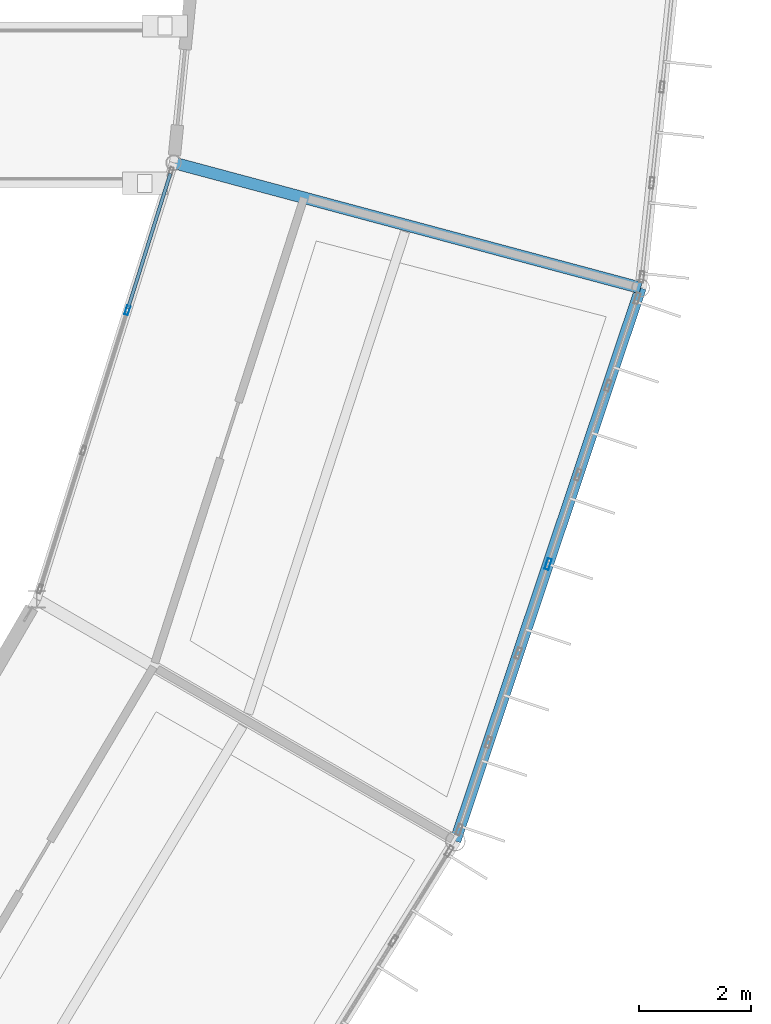
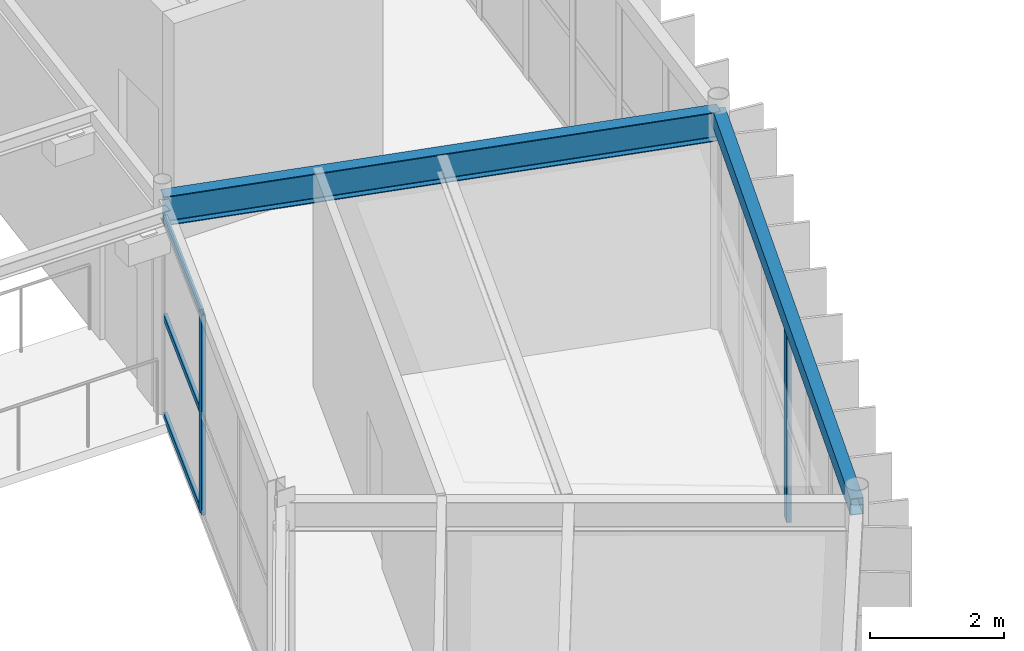
# One storey, part 62 of 148: 5 members, 2 beams, 2 elements without a shape of their own.
"""IFC4 building model written with IfcOpenShell, lengths in metres."""

import ifcopenshell
import ifcopenshell.guid

model = None  # the IFC model being written
_history = None  # IfcOwnerHistory: only IFC2X3 demands one
_inside = {}  # id of a spatial element -> (the spatial element, [elements in it])
_under = {}  # id of a project, library or spatial element -> (it, [spatial elements below it])
_declared = {}  # id of a project -> (the project, [libraries it declares])
_typed = {}  # id of a type object -> (the type object, [elements of that type])
_made_of = {}  # id of a material, layer set ... -> (it, [elements and type objects made of it])


def new_model(schema):
    """Start an empty IFC model of exactly this schema.

    Asked for "IFC4X3", IfcOpenShell would pick the latest addendum, in which some entities
    have other attributes; the version numbers below select the first issue.
    IFC2X3 requires an IfcOwnerHistory on every rooted entity: one is made here for all.
    """
    global model, _history
    if schema == "IFC4X3":
        model = ifcopenshell.file(schema_version=(4, 3, 0, 0))
    else:
        model = ifcopenshell.file(schema=schema)
    _inside.clear()
    _under.clear()
    _declared.clear()
    _typed.clear()
    _made_of.clear()
    _history = None
    if model.schema == "IFC2X3":
        org = make("IfcOrganization", Name="unknown")
        user = make(
            "IfcPersonAndOrganization",
            ThePerson=make("IfcPerson", FamilyName="unknown"),
            TheOrganization=org,
        )
        app = make(
            "IfcApplication",
            ApplicationDeveloper=org,
            Version="unknown",
            ApplicationFullName="unknown",
            ApplicationIdentifier="unknown",
        )
        _history = make(
            "IfcOwnerHistory",
            OwningUser=user,
            OwningApplication=app,
            ChangeAction="ADDED",
            CreationDate=0,
        )
    return model


def make(cls, **values):
    """One entity of the class cls with the attributes given. An attribute that is None is left unset."""
    return model.create_entity(
        cls, **{name: value for name, value in values.items() if value is not None}
    )


def rooted(cls, **values):
    """An entity with a GlobalId (a new one), such as an element, a storey or a relation."""
    return make(cls, GlobalId=ifcopenshell.guid.new(), OwnerHistory=_history, **values)


def si_unit(unit_type, name, prefix=None):
    """IfcSIUnit, for example si_unit("LENGTHUNIT", "METRE", prefix="MILLI")."""
    return make("IfcSIUnit", UnitType=unit_type, Prefix=prefix, Name=name)


def assignment(units):
    """IfcUnitAssignment: the units of a project."""
    return None if units is None else make("IfcUnitAssignment", Units=units)


def point(xyz):
    """IfcCartesianPoint."""
    return None if xyz is None else make("IfcCartesianPoint", Coordinates=xyz)


def direction(xyz):
    """IfcDirection."""
    return None if xyz is None else make("IfcDirection", DirectionRatios=xyz)


def frame(location, z_axis=None, x_axis=None):
    """IfcAxis2Placement3D, a coordinate frame: its origin and axes. An axis left out is left unset."""
    return make(
        "IfcAxis2Placement3D",
        Location=point(location),
        Axis=direction(z_axis),
        RefDirection=direction(x_axis),
    )


def frame_2d(location, x_axis=None):
    """IfcAxis2Placement2D, a coordinate frame in the plane: its origin and x axis."""
    return make(
        "IfcAxis2Placement2D", Location=point(location), RefDirection=direction(x_axis)
    )


def origin():
    """The frame at (0, 0, 0) with its axes left unset."""
    return frame((0.0, 0.0, 0.0))


def origin_2d():
    """The frame at (0, 0) in the plane with its x axis left unset."""
    return frame_2d((0.0, 0.0))


def place(relative_to, where):
    """IfcLocalPlacement: puts the frame where relative to a parent placement (None: the world)."""
    return make(
        "IfcLocalPlacement", PlacementRelTo=relative_to, RelativePlacement=where
    )


def context(
    kind, dimensions, precision=None, world=None, true_north=None, identifier=None
):
    """IfcGeometricRepresentationContext, for example the 3D "Model" context."""
    return make(
        "IfcGeometricRepresentationContext",
        ContextIdentifier=identifier,
        ContextType=kind,
        CoordinateSpaceDimension=dimensions,
        Precision=precision,
        WorldCoordinateSystem=world,
        TrueNorth=true_north,
    )


def subcontext(parent, identifier, kind, view, scale=None):
    """IfcGeometricRepresentationSubContext, for example "Body" below "Model"."""
    return make(
        "IfcGeometricRepresentationSubContext",
        ContextIdentifier=identifier,
        ContextType=kind,
        ParentContext=parent,
        TargetScale=scale,
        TargetView=view,
    )


def project(units=None, contexts=None):
    """IfcProject with its units and contexts."""
    return rooted(
        "IfcProject",
        Name="project",
        RepresentationContexts=contexts,
        UnitsInContext=assignment(units),
    )


def spatial(cls, under=None, at=None, **own):
    """A site, building, storey or space (cls), placed at a placement, below another one or the project."""
    s = rooted(cls, ObjectPlacement=at, **own)
    if under is not None:
        _under.setdefault(under.id(), (under, []))[1].append(s)
    return s


def profile(cls, at=None, kind="AREA", **sizes):
    """A parametric profile (cls). Its sizes go by their IFC names, for example OverallWidth=200.0."""
    return make(cls, ProfileType=kind, Position=at, **sizes)


def hollow_rectangle(**sizes):
    """IfcRectangleHollowProfileDef."""
    return profile("IfcRectangleHollowProfileDef", **sizes)


def i_section(**sizes):
    """IfcIShapeProfileDef."""
    return profile("IfcIShapeProfileDef", **sizes)


def extrude(swept, where, along, depth):
    """IfcExtrudedAreaSolid: the profile swept, set in the frame where, extruded along a direction by depth."""
    return make(
        "IfcExtrudedAreaSolid",
        SweptArea=swept,
        Position=where,
        ExtrudedDirection=direction(along),
        Depth=depth,
    )


def shape(context_of_items, identifier, shape_type, items):
    """IfcShapeRepresentation: the items that make up one representation, for example the "Body"."""
    return make(
        "IfcShapeRepresentation",
        ContextOfItems=context_of_items,
        RepresentationIdentifier=identifier,
        RepresentationType=shape_type,
        Items=items,
    )


def material(Name=None, Category=None):
    """IfcMaterial."""
    return make("IfcMaterial", Name=Name, Category=Category)


def material_profile(
    of_material, cross_section, Name=None, Category=None, Priority=None
):
    """IfcMaterialProfile: a cross section and its material."""
    return make(
        "IfcMaterialProfile",
        Name=Name,
        Material=of_material,
        Profile=cross_section,
        Priority=Priority,
        Category=Category,
    )


def profile_set(profiles, Name=None, composite=None):
    """IfcMaterialProfileSet."""
    return make(
        "IfcMaterialProfileSet",
        Name=Name,
        MaterialProfiles=profiles,
        CompositeProfile=composite,
    )


def made_of(thing, what):
    """Note that an element or type object is made of a material, layer set ...; save() writes the relation."""
    if what is not None:
        _made_of.setdefault(what.id(), (what, []))[1].append(thing)
    return thing


def type_object(cls, material=None, **own):
    """A type object (cls), such as IfcWallType, which elements share."""
    return made_of(rooted(cls, **own), material)


def element(
    cls,
    number,
    at=None,
    inside=None,
    cuts=None,
    type_object=None,
    material=None,
    context=None,
    identifier="Body",
    shape_type=None,
    held_by="IfcProductDefinitionShape",
    body=None,
    shapes=None,
    **own,
):
    """One element of the class cls, such as IfcWall. Its Tag is "e" and its number.

    at: its placement. inside: the storey or other place that contains it. cuts: it is an
    opening in that element (IfcRelVoidsElement). A single representation is given by context,
    identifier, shape_type and body (its items); several are given by shapes. held_by: the class
    of the entity that holds the representations. save() writes the other relations.
    """
    e = rooted(cls, Tag="e%d" % number, ObjectPlacement=at, **own)
    if body is not None:
        shapes = [shape(context, identifier, shape_type, body)]
    if shapes is not None:
        e.Representation = make(held_by, Representations=shapes)
    if inside is not None:
        _inside.setdefault(inside.id(), (inside, []))[1].append(e)
    if cuts is not None:
        rooted(
            "IfcRelVoidsElement", RelatingBuildingElement=cuts, RelatedOpeningElement=e
        )
    if type_object is not None:
        _typed.setdefault(type_object.id(), (type_object, []))[1].append(e)
    return made_of(e, material)


def aggregate(whole, parts):
    """IfcRelAggregates: a whole, such as a stair, and the parts it consists of."""
    return rooted("IfcRelAggregates", RelatingObject=whole, RelatedObjects=parts)


def save(model, path):
    """Write the relations noted so far, then the file.

    IfcRelAggregates (storeys below a building ...), IfcRelContainedInSpatialStructure (elements
    in a storey), IfcRelDefinesByType, IfcRelAssociatesMaterial and IfcRelDeclares: one each for
    every whole, place, type object, material and project.
    """
    for whole, parts in _under.values():
        aggregate(whole, parts)
    for where, things in _inside.values():
        rooted(
            "IfcRelContainedInSpatialStructure",
            RelatedElements=things,
            RelatingStructure=where,
        )
    for kind, things in _typed.values():
        rooted("IfcRelDefinesByType", RelatedObjects=things, RelatingType=kind)
    for what, things in _made_of.values():
        rooted("IfcRelAssociatesMaterial", RelatedObjects=things, RelatingMaterial=what)
    for by, libraries in _declared.values():
        rooted("IfcRelDeclares", RelatingContext=by, RelatedDefinitions=libraries)
    model.write(path)


model = new_model("IFC4")

# Units and contexts
model_context = context("Model", 3, precision=1e-05, world=origin(), true_north=direction((0.0, 1.0)))
body_context = subcontext(model_context, "Body", "Model", "MODEL_VIEW")
ifc_project = project(units=[si_unit("LENGTHUNIT", "METRE"), si_unit("AREAUNIT", "SQUARE_METRE"), si_unit("VOLUMEUNIT", "CUBIC_METRE"), si_unit("PLANEANGLEUNIT", "RADIAN"), si_unit("MASSUNIT", "GRAM", prefix="KILO")], contexts=[model_context])

# Site, building, storey
site_placement = place(None, origin())
site = spatial("IfcSite", under=ifc_project, at=site_placement, CompositionType="ELEMENT")
building_placement = place(site_placement, origin())
building = spatial("IfcBuilding", under=site, at=building_placement, Name="Karori Crest Natural Sciences Institute", CompositionType="ELEMENT")
storey_placement = place(building_placement, frame((0.0, 0.0, 4.89990234375)))
storey = spatial("IfcBuildingStorey", under=building, at=storey_placement, Name="L01", CompositionType="ELEMENT", Elevation=4.89990234375)

# Beams
ifc_material_1 = material(Name="Structural steel AS/NZS 3679.1 Grade 350", Category="steel")
ifc_material_profile_1 = material_profile(ifc_material_1, i_section(OverallWidth=0.208984375, OverallDepth=0.532958984375, WebThickness=0.01025390625, FlangeThickness=0.015625, FilletRadius=0.013916015625, at=origin_2d()), Name="530UB92.4")
ifc_profile_set_1 = profile_set([ifc_material_profile_1], Name="Structural steel AS/NZS 3679.1 Grade 350")
beam_type_1 = type_object("IfcBeamType", Name="BT-05", PredefinedType="BEAM", material=ifc_profile_set_1)
beam_1_placement = place(storey_placement, frame((89.968505859375, 41.56591796875, 3.673583984375), z_axis=(0.96592752402, -0.258812709002, 0.0), x_axis=(0.258812709002, 0.96592752402, 0.0)))
element("IfcBeam", 1, at=beam_1_placement, inside=storey, type_object=beam_type_1, Name="Beam B-0270", PredefinedType="BEAM", context=body_context, shape_type="SweptSolid", body=[
    extrude(i_section(OverallWidth=0.208984375, OverallDepth=0.532958984375, WebThickness=0.01025390625, FlangeThickness=0.015625, FilletRadius=0.013916015625, at=origin_2d()), origin(), (0.0, 0.0, 1.0), 8.60009765625),
])
ifc_material_2 = material(Name="Hollow structural steel AS/NZS 1163 Grade C350", Category="steel")
ifc_material_profile_2 = material_profile(ifc_material_2, hollow_rectangle(XDim=0.199951171875, YDim=0.300048828125, WallThickness=0.010009765625, at=origin_2d()), Name="RHS300x200x10")
ifc_profile_set_2 = profile_set([ifc_material_profile_2], Name="Hollow structural steel AS/NZS 1163 Grade C350")
beam_type_2 = type_object("IfcBeamType", Name="BT-15", PredefinedType="SPANDREL", material=ifc_profile_set_2)
beam_2_placement = place(storey_placement, frame((94.978759765625, 29.5, 3.7900390625), z_axis=(0.317688324477, 0.948195195353, 0.0), x_axis=(-0.948195195353, 0.317688324477, 0.0)))
element("IfcBeam", 2, at=beam_2_placement, inside=storey, type_object=beam_type_2, Name="Beam B-0264", PredefinedType="SPANDREL", context=body_context, shape_type="SweptSolid", body=[
    extrude(hollow_rectangle(XDim=0.199951171875, YDim=0.300048828125, WallThickness=0.010009765625, at=origin_2d()), origin(), (0.0, 0.0, 1.0), 10.377685546875),
])

# Curtain wall, member
ifc_material_3 = material(Name="Anodised architectural aluminium 6063-T6", Category="aluminium")
curtain_wall_type_1 = type_object("IfcCurtainWallType", Name="CWT-13", PredefinedType="NOTDEFINED", material=ifc_material_3)
curtain_wall_1_placement = place(storey_placement, origin())
curtain_wall_1 = element("IfcCurtainWall", 3, at=curtain_wall_1_placement, inside=storey, type_object=curtain_wall_type_1, Name="Curtain wall CW-0063", PredefinedType="NOTDEFINED")
ifc_material_profile_3 = material_profile(ifc_material_3, hollow_rectangle(XDim=0.06494140625, YDim=0.159912109375, WallThickness=0.00390625, at=origin_2d()), Name="CWM160x65x4")
ifc_profile_set_3 = profile_set([ifc_material_profile_3], Name="Anodised architectural aluminium 6063-T6")
member_type_1 = type_object("IfcMemberType", Name="CWM-01", PredefinedType="MULLION", material=ifc_profile_set_3)
member_1_placement = place(storey_placement, frame((89.14501953125, 38.9423828125, 0.0), z_axis=(0.0, 0.0, 1.0), x_axis=(-0.954103649609, 0.2994765864, 0.0)))
member_1 = element("IfcMember", 4, at=member_1_placement, type_object=member_type_1, Name="CW-0063 mullion 3", PredefinedType="MULLION", context=body_context, shape_type="SweptSolid", body=[
    extrude(hollow_rectangle(XDim=0.06494140625, YDim=0.159912109375, WallThickness=0.00390625, at=origin_2d()), origin(), (0.0, 0.0, 1.0), 3.650146484375),
])

curtain_wall_type_2 = type_object("IfcCurtainWallType", Name="CWT-03", PredefinedType="NOTDEFINED", material=ifc_material_3)
curtain_wall_2_placement = place(storey_placement, origin())
curtain_wall_2 = element("IfcCurtainWall", 5, at=curtain_wall_2_placement, inside=storey, type_object=curtain_wall_type_2, Name="Curtain wall CW-0062", PredefinedType="NOTDEFINED")
ifc_material_profile_4 = material_profile(ifc_material_3, hollow_rectangle(XDim=0.074951171875, YDim=0.199951171875, WallThickness=0.0048828125, at=origin_2d()), Name="CWM200x75x5")
ifc_profile_set_4 = profile_set([ifc_material_profile_4], Name="Anodised architectural aluminium 6063-T6")
member_type_2 = type_object("IfcMemberType", Name="CWM-02", PredefinedType="MULLION", material=ifc_profile_set_4)
member_2_placement = place(storey_placement, frame((96.629638671875, 34.427490234375, 0.0), z_axis=(0.0, 0.0, 1.0), x_axis=(0.948196219586, -0.317685267462, 0.0)))
member_2 = element("IfcMember", 6, at=member_2_placement, type_object=member_type_2, Name="CW-0062 mullion 4", PredefinedType="MULLION", context=body_context, shape_type="SweptSolid", body=[
    extrude(hollow_rectangle(XDim=0.074951171875, YDim=0.199951171875, WallThickness=0.0048828125, at=origin_2d()), origin(), (0.0, 0.0, 1.0), 3.625),
])
aggregate(curtain_wall_2, [member_2])

# Member
ifc_material_profile_5 = material_profile(ifc_material_3, hollow_rectangle(XDim=0.06005859375, YDim=0.1201171875, WallThickness=0.00390625, at=origin_2d()), Name="CWT120x60x4")
ifc_profile_set_5 = profile_set([ifc_material_profile_5], Name="Anodised architectural aluminium 6063-T6")
member_type_3 = type_object("IfcMemberType", Name="CWT-TR1", PredefinedType="USERDEFINED", material=ifc_profile_set_5)
member_3_placement = place(storey_placement, frame((89.15478515625, 38.973388671875, 0.030029296875), z_axis=(0.299511422276, 0.954092714534, 0.0), x_axis=(-0.954092714534, 0.299511422276, 0.0)))
member_3 = element("IfcMember", 7, at=member_3_placement, type_object=member_type_3, Name="CW-0063 transom 3.1", ObjectType="TRANSOM", PredefinedType="USERDEFINED", context=body_context, shape_type="SweptSolid", body=[
    extrude(hollow_rectangle(XDim=0.06005859375, YDim=0.1201171875, WallThickness=0.00390625, at=origin_2d()), origin(), (0.0, 0.0, 1.0), 2.517822265625),
])

member_4_placement = place(storey_placement, frame((89.15478515625, 38.973388671875, 1.8251953125), z_axis=(0.299511422276, 0.954092714534, 0.0), x_axis=(-0.954092714534, 0.299511422276, 0.0)))
member_4 = element("IfcMember", 8, at=member_4_placement, type_object=member_type_3, Name="CW-0063 transom 3.2", ObjectType="TRANSOM", PredefinedType="USERDEFINED", context=body_context, shape_type="SweptSolid", body=[
    extrude(hollow_rectangle(XDim=0.06005859375, YDim=0.1201171875, WallThickness=0.00390625, at=origin_2d()), origin(), (0.0, 0.0, 1.0), 2.517822265625),
])

member_5_placement = place(storey_placement, frame((89.15478515625, 38.973388671875, 3.6201171875), z_axis=(0.299511422276, 0.954092714534, 0.0), x_axis=(-0.954092714534, 0.299511422276, 0.0)))
member_5 = element("IfcMember", 9, at=member_5_placement, type_object=member_type_3, Name="CW-0063 transom 3.3", ObjectType="TRANSOM", PredefinedType="USERDEFINED", context=body_context, shape_type="SweptSolid", body=[
    extrude(hollow_rectangle(XDim=0.06005859375, YDim=0.1201171875, WallThickness=0.00390625, at=origin_2d()), origin(), (0.0, 0.0, 1.0), 2.517822265625),
])

aggregate(curtain_wall_1, [member_1, member_3, member_4, member_5])

save(model, "model.ifc")
